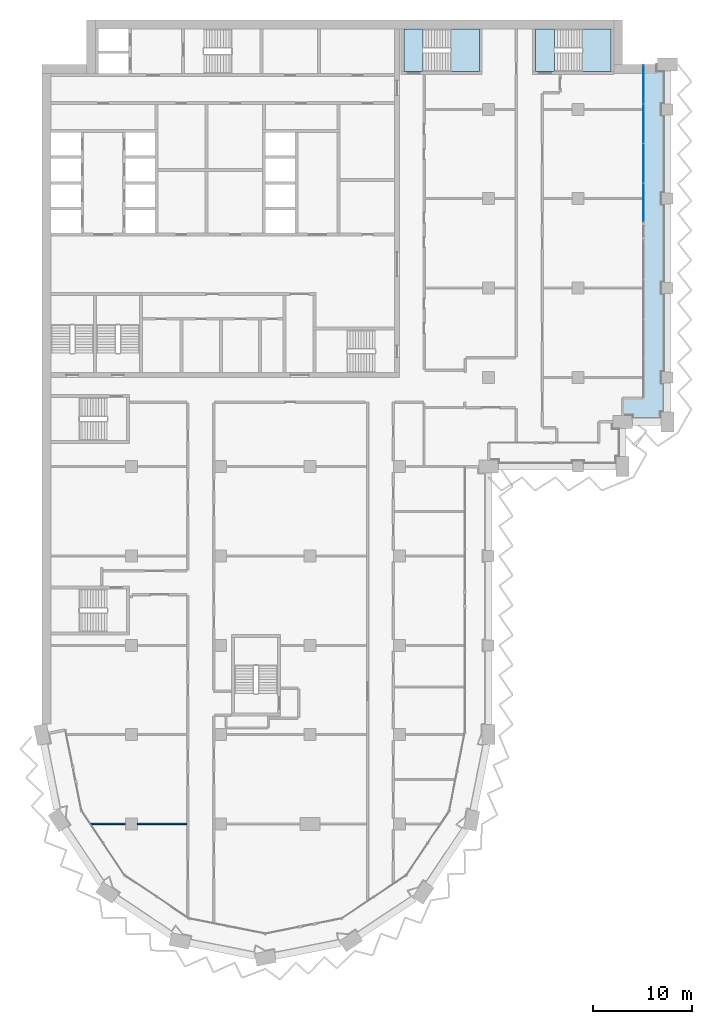
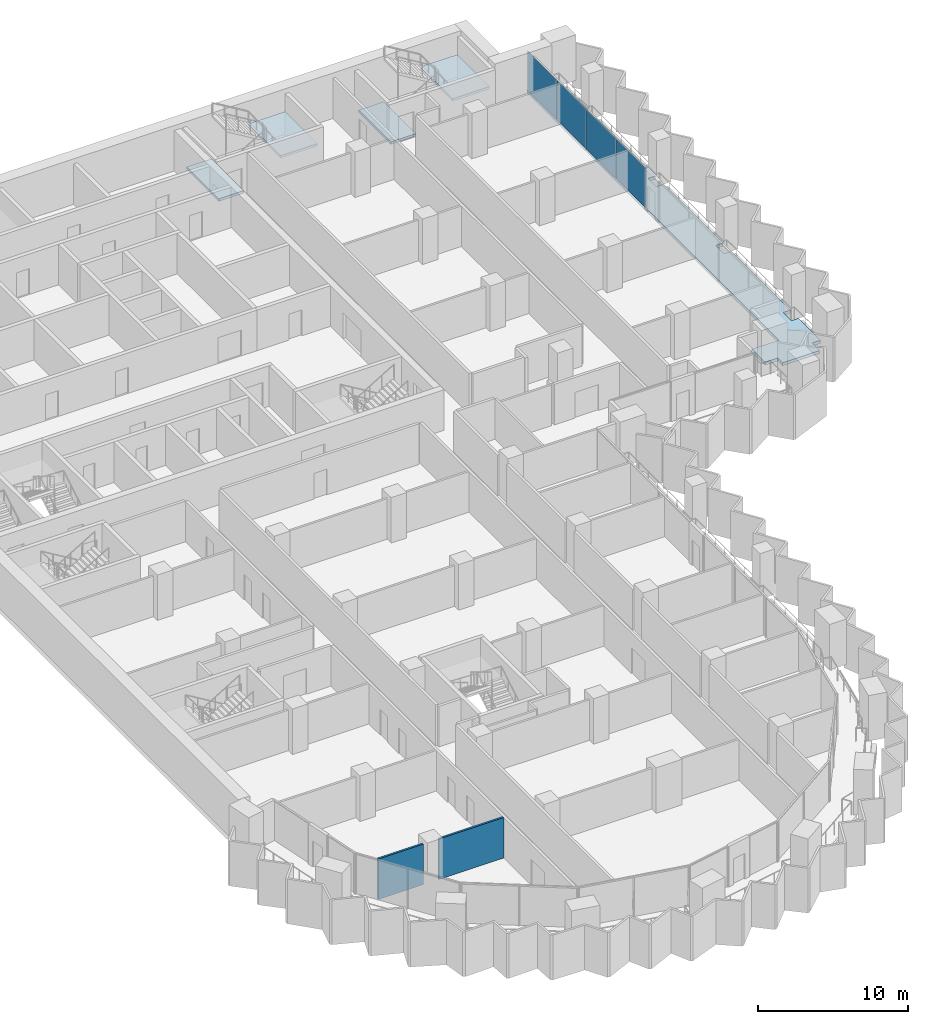
# One storey, part 7 of 22: 5 slabs, 4 plates, 2 walls, 3 elements without a shape of their own.
"""IFC4 building model written with IfcOpenShell, lengths in metres."""

import ifcopenshell
import ifcopenshell.guid

model = None  # the IFC model being written
_history = None  # IfcOwnerHistory: only IFC2X3 demands one
_inside = {}  # id of a spatial element -> (the spatial element, [elements in it])
_under = {}  # id of a project, library or spatial element -> (it, [spatial elements below it])
_declared = {}  # id of a project -> (the project, [libraries it declares])
_typed = {}  # id of a type object -> (the type object, [elements of that type])
_made_of = {}  # id of a material, layer set ... -> (it, [elements and type objects made of it])


def new_model(schema):
    """Start an empty IFC model of exactly this schema.

    Asked for "IFC4X3", IfcOpenShell would pick the latest addendum, in which some entities
    have other attributes; the version numbers below select the first issue.
    IFC2X3 requires an IfcOwnerHistory on every rooted entity: one is made here for all.
    """
    global model, _history
    if schema == "IFC4X3":
        model = ifcopenshell.file(schema_version=(4, 3, 0, 0))
    else:
        model = ifcopenshell.file(schema=schema)
    _inside.clear()
    _under.clear()
    _declared.clear()
    _typed.clear()
    _made_of.clear()
    _history = None
    if model.schema == "IFC2X3":
        org = make("IfcOrganization", Name="unknown")
        user = make(
            "IfcPersonAndOrganization",
            ThePerson=make("IfcPerson", FamilyName="unknown"),
            TheOrganization=org,
        )
        app = make(
            "IfcApplication",
            ApplicationDeveloper=org,
            Version="unknown",
            ApplicationFullName="unknown",
            ApplicationIdentifier="unknown",
        )
        _history = make(
            "IfcOwnerHistory",
            OwningUser=user,
            OwningApplication=app,
            ChangeAction="ADDED",
            CreationDate=0,
        )
    return model


def make(cls, **values):
    """One entity of the class cls with the attributes given. An attribute that is None is left unset."""
    return model.create_entity(
        cls, **{name: value for name, value in values.items() if value is not None}
    )


def rooted(cls, **values):
    """An entity with a GlobalId (a new one), such as an element, a storey or a relation."""
    return make(cls, GlobalId=ifcopenshell.guid.new(), OwnerHistory=_history, **values)


def si_unit(unit_type, name, prefix=None):
    """IfcSIUnit, for example si_unit("LENGTHUNIT", "METRE", prefix="MILLI")."""
    return make("IfcSIUnit", UnitType=unit_type, Prefix=prefix, Name=name)


def assignment(units):
    """IfcUnitAssignment: the units of a project."""
    return None if units is None else make("IfcUnitAssignment", Units=units)


def point(xyz):
    """IfcCartesianPoint."""
    return None if xyz is None else make("IfcCartesianPoint", Coordinates=xyz)


def direction(xyz):
    """IfcDirection."""
    return None if xyz is None else make("IfcDirection", DirectionRatios=xyz)


def frame(location, z_axis=None, x_axis=None):
    """IfcAxis2Placement3D, a coordinate frame: its origin and axes. An axis left out is left unset."""
    return make(
        "IfcAxis2Placement3D",
        Location=point(location),
        Axis=direction(z_axis),
        RefDirection=direction(x_axis),
    )


def frame_2d(location, x_axis=None):
    """IfcAxis2Placement2D, a coordinate frame in the plane: its origin and x axis."""
    return make(
        "IfcAxis2Placement2D", Location=point(location), RefDirection=direction(x_axis)
    )


def origin():
    """The frame at (0, 0, 0) with its axes left unset."""
    return frame((0.0, 0.0, 0.0))


def origin_2d():
    """The frame at (0, 0) in the plane with its x axis left unset."""
    return frame_2d((0.0, 0.0))


def place(relative_to, where):
    """IfcLocalPlacement: puts the frame where relative to a parent placement (None: the world)."""
    return make(
        "IfcLocalPlacement", PlacementRelTo=relative_to, RelativePlacement=where
    )


def context(
    kind, dimensions, precision=None, world=None, true_north=None, identifier=None
):
    """IfcGeometricRepresentationContext, for example the 3D "Model" context."""
    return make(
        "IfcGeometricRepresentationContext",
        ContextIdentifier=identifier,
        ContextType=kind,
        CoordinateSpaceDimension=dimensions,
        Precision=precision,
        WorldCoordinateSystem=world,
        TrueNorth=true_north,
    )


def subcontext(parent, identifier, kind, view, scale=None):
    """IfcGeometricRepresentationSubContext, for example "Body" below "Model"."""
    return make(
        "IfcGeometricRepresentationSubContext",
        ContextIdentifier=identifier,
        ContextType=kind,
        ParentContext=parent,
        TargetScale=scale,
        TargetView=view,
    )


def project(units=None, contexts=None):
    """IfcProject with its units and contexts."""
    return rooted(
        "IfcProject",
        Name="project",
        RepresentationContexts=contexts,
        UnitsInContext=assignment(units),
    )


def spatial(cls, under=None, at=None, **own):
    """A site, building, storey or space (cls), placed at a placement, below another one or the project."""
    s = rooted(cls, ObjectPlacement=at, **own)
    if under is not None:
        _under.setdefault(under.id(), (under, []))[1].append(s)
    return s


def polyline(points):
    """IfcPolyline through the points."""
    return make("IfcPolyline", Points=[point(p) for p in points])


def profile(cls, at=None, kind="AREA", **sizes):
    """A parametric profile (cls). Its sizes go by their IFC names, for example OverallWidth=200.0."""
    return make(cls, ProfileType=kind, Position=at, **sizes)


def rectangle(**sizes):
    """IfcRectangleProfileDef."""
    return profile("IfcRectangleProfileDef", **sizes)


def outline(outer, holes=None, kind="AREA"):
    """IfcArbitraryClosedProfileDef: a profile drawn as a closed curve; with holes, ...WithVoids."""
    if holes is None:
        return make("IfcArbitraryClosedProfileDef", ProfileType=kind, OuterCurve=outer)
    return make(
        "IfcArbitraryProfileDefWithVoids",
        ProfileType=kind,
        OuterCurve=outer,
        InnerCurves=holes,
    )


def extrude(swept, where, along, depth):
    """IfcExtrudedAreaSolid: the profile swept, set in the frame where, extruded along a direction by depth."""
    return make(
        "IfcExtrudedAreaSolid",
        SweptArea=swept,
        Position=where,
        ExtrudedDirection=direction(along),
        Depth=depth,
    )


def shape(context_of_items, identifier, shape_type, items):
    """IfcShapeRepresentation: the items that make up one representation, for example the "Body"."""
    return make(
        "IfcShapeRepresentation",
        ContextOfItems=context_of_items,
        RepresentationIdentifier=identifier,
        RepresentationType=shape_type,
        Items=items,
    )


def material(Name=None, Category=None):
    """IfcMaterial."""
    return make("IfcMaterial", Name=Name, Category=Category)


def layer(
    of_material, thickness, ventilated=None, Name=None, Category=None, Priority=None
):
    """IfcMaterialLayer: one layer of a wall or slab, of a material (None: an air gap)."""
    return make(
        "IfcMaterialLayer",
        Material=of_material,
        LayerThickness=thickness,
        IsVentilated=ventilated,
        Name=Name,
        Category=Category,
        Priority=Priority,
    )


def layer_set(layers, Name=None):
    """IfcMaterialLayerSet."""
    return make("IfcMaterialLayerSet", MaterialLayers=layers, LayerSetName=Name)


def made_of(thing, what):
    """Note that an element or type object is made of a material, layer set ...; save() writes the relation."""
    if what is not None:
        _made_of.setdefault(what.id(), (what, []))[1].append(thing)
    return thing


def type_object(cls, material=None, **own):
    """A type object (cls), such as IfcWallType, which elements share."""
    return made_of(rooted(cls, **own), material)


def element(
    cls,
    number,
    at=None,
    inside=None,
    cuts=None,
    type_object=None,
    material=None,
    context=None,
    identifier="Body",
    shape_type=None,
    held_by="IfcProductDefinitionShape",
    body=None,
    shapes=None,
    **own,
):
    """One element of the class cls, such as IfcWall. Its Tag is "e" and its number.

    at: its placement. inside: the storey or other place that contains it. cuts: it is an
    opening in that element (IfcRelVoidsElement). A single representation is given by context,
    identifier, shape_type and body (its items); several are given by shapes. held_by: the class
    of the entity that holds the representations. save() writes the other relations.
    """
    e = rooted(cls, Tag="e%d" % number, ObjectPlacement=at, **own)
    if body is not None:
        shapes = [shape(context, identifier, shape_type, body)]
    if shapes is not None:
        e.Representation = make(held_by, Representations=shapes)
    if inside is not None:
        _inside.setdefault(inside.id(), (inside, []))[1].append(e)
    if cuts is not None:
        rooted(
            "IfcRelVoidsElement", RelatingBuildingElement=cuts, RelatedOpeningElement=e
        )
    if type_object is not None:
        _typed.setdefault(type_object.id(), (type_object, []))[1].append(e)
    return made_of(e, material)


def aggregate(whole, parts):
    """IfcRelAggregates: a whole, such as a stair, and the parts it consists of."""
    return rooted("IfcRelAggregates", RelatingObject=whole, RelatedObjects=parts)


def save(model, path):
    """Write the relations noted so far, then the file.

    IfcRelAggregates (storeys below a building ...), IfcRelContainedInSpatialStructure (elements
    in a storey), IfcRelDefinesByType, IfcRelAssociatesMaterial and IfcRelDeclares: one each for
    every whole, place, type object, material and project.
    """
    for whole, parts in _under.values():
        aggregate(whole, parts)
    for where, things in _inside.values():
        rooted(
            "IfcRelContainedInSpatialStructure",
            RelatedElements=things,
            RelatingStructure=where,
        )
    for kind, things in _typed.values():
        rooted("IfcRelDefinesByType", RelatedObjects=things, RelatingType=kind)
    for what, things in _made_of.values():
        rooted("IfcRelAssociatesMaterial", RelatedObjects=things, RelatingMaterial=what)
    for by, libraries in _declared.values():
        rooted("IfcRelDeclares", RelatingContext=by, RelatedDefinitions=libraries)
    model.write(path)


model = new_model("IFC4")

# Units and contexts
model_context = context("Model", 3, precision=1e-05, world=origin(), true_north=direction((0.0, 1.0)))
body_context = subcontext(model_context, "Body", "Model", "MODEL_VIEW")
ifc_project = project(units=[si_unit("LENGTHUNIT", "METRE"), si_unit("AREAUNIT", "SQUARE_METRE"), si_unit("VOLUMEUNIT", "CUBIC_METRE"), si_unit("PLANEANGLEUNIT", "RADIAN"), si_unit("MASSUNIT", "GRAM", prefix="KILO")], contexts=[model_context])

# Site, building, storey
site_placement = place(None, origin())
site = spatial("IfcSite", under=ifc_project, at=site_placement, CompositionType="ELEMENT")
building_placement = place(site_placement, origin())
building = spatial("IfcBuilding", under=site, at=building_placement, Name="Hunhe Ridgeline Campus", CompositionType="ELEMENT")
storey_placement = place(building_placement, frame((0.0, 0.0, 141.199951171875)))
storey = spatial("IfcBuildingStorey", under=building, at=storey_placement, Name="L35", CompositionType="ELEMENT", Elevation=141.199951171875)

# Curtain wall, plates
ifc_material_1 = material(Name="Aluminium 6063", Category="aluminium")
curtain_wall_type = type_object("IfcCurtainWallType", Name="Curtain wall CW-1", PredefinedType="NOTDEFINED", material=ifc_material_1)
curtain_wall_placement = place(storey_placement, origin())
curtain_wall = element("IfcCurtainWall", 1, at=curtain_wall_placement, inside=storey, type_object=curtain_wall_type, Name="Curtain wall 16", PredefinedType="NOTDEFINED")
ifc_material_2 = material(Name="Low-e laminated glass", Category="glass")
ifc_layer_1 = layer(ifc_material_2, 0.028076171875)
ifc_layer_set_1 = layer_set([ifc_layer_1], Name="Curtain wall glass panel 28 low-e laminated")
plate_type = type_object("IfcPlateType", Name="Curtain wall glass panel 28 low-e laminated", PredefinedType="CURTAIN_PANEL", material=ifc_layer_set_1)
plate_1_placement = place(storey_placement, frame((60.59912109375, 80.60302734375, 0.0), z_axis=(0.0, 0.0, 1.0), x_axis=(0.0, 1.0, 0.0)))
plate_1 = element("IfcPlate", 2, at=plate_1_placement, type_object=plate_type, Name="CW-1 panel 1", PredefinedType="CURTAIN_PANEL", context=body_context, shape_type="SweptSolid", body=[
    extrude(rectangle(XDim=3.884765625, YDim=0.028076171875, at=origin_2d()), origin(), (0.0, 0.0, 1.0), 3.239990234375),
])
plate_2_placement = place(storey_placement, frame((60.59912109375, 84.562744140625, 0.0), z_axis=(0.0, 0.0, 1.0), x_axis=(0.0, 1.0, 0.0)))
plate_2 = element("IfcPlate", 3, at=plate_2_placement, type_object=plate_type, Name="CW-1 panel 2", PredefinedType="CURTAIN_PANEL", context=body_context, shape_type="SweptSolid", body=[
    extrude(rectangle(XDim=3.914794921875, YDim=0.028076171875, at=origin_2d()), origin(), (0.0, 0.0, 1.0), 3.239990234375),
])
plate_3_placement = place(storey_placement, frame((60.59912109375, 88.53759765625, 0.0), z_axis=(0.0, 0.0, 1.0), x_axis=(0.0, 1.0, 0.0)))
plate_3 = element("IfcPlate", 4, at=plate_3_placement, type_object=plate_type, Name="CW-1 panel 3", PredefinedType="CURTAIN_PANEL", context=body_context, shape_type="SweptSolid", body=[
    extrude(rectangle(XDim=3.914794921875, YDim=0.028076171875, at=origin_2d()), origin(), (0.0, 0.0, 1.0), 3.239990234375),
])
plate_4_placement = place(storey_placement, frame((60.59912109375, 92.49755859375, 0.0), z_axis=(0.0, 0.0, 1.0), x_axis=(0.0, 1.0, 0.0)))
plate_4 = element("IfcPlate", 5, at=plate_4_placement, type_object=plate_type, Name="CW-1 panel 4", PredefinedType="CURTAIN_PANEL", context=body_context, shape_type="SweptSolid", body=[
    extrude(rectangle(XDim=3.884765625, YDim=0.028076171875, at=origin_2d()), origin(), (0.0, 0.0, 1.0), 3.239990234375),
])
aggregate(curtain_wall, [plate_1, plate_2, plate_3, plate_4])

# Slab
ifc_material_3 = material(Name="Concrete C40", Category="concrete")
ifc_layer_2 = layer(ifc_material_3, 0.25)
ifc_layer_set_2 = layer_set([ifc_layer_2], Name="Loggia slab 250 Concrete C40")
slab_type_1 = type_object("IfcSlabType", Name="Loggia slab 250 Concrete C40", PredefinedType="FLOOR", material=ifc_layer_set_2)
slab_1_placement = place(storey_placement, frame((0.0, 0.0, -0.25)))
element("IfcSlab", 6, at=slab_1_placement, inside=storey, type_object=slab_type_1, Name="Loggia slab 3", PredefinedType="FLOOR", context=body_context, shape_type="SweptSolid", body=[
    extrude(outline(polyline([(58.5, 59.14990234375), (59.5, 59.14990234375), (59.5, 58.5), (62.35009765625, 58.5), (62.35009765625, 59.5), (63.0, 59.5), (63.0, 62.449951171875), (62.449951171875, 62.449951171875), (62.449951171875, 63.550048828125), (63.0, 63.550048828125), (63.0, 71.449951171875), (62.449951171875, 71.449951171875), (62.449951171875, 72.550048828125), (63.0, 72.550048828125), (63.0, 80.449951171875), (62.449951171875, 80.449951171875), (62.449951171875, 81.550048828125), (63.0, 81.550048828125), (63.0, 89.449951171875), (62.449951171875, 89.449951171875), (62.449951171875, 90.550048828125), (63.0, 90.550048828125), (63.0, 93.85009765625), (62.0, 93.85009765625), (62.0, 94.5), (60.60009765625, 94.5), (60.60009765625, 60.89990234375), (58.5, 60.89990234375), (58.5, 59.14990234375)])), origin(), (0.0, 0.0, 1.0), 0.25),
])

# Stair, slab
stair_type = type_object("IfcStairType", Name="Reinforced concrete dog-leg stair 1950 Concrete C40", PredefinedType="HALF_TURN_STAIR", material=ifc_material_3)
stair_1_placement = place(storey_placement, origin())
stair_1 = element("IfcStair", 7, at=stair_1_placement, inside=storey, type_object=stair_type, Name="L35 E1", PredefinedType="HALF_TURN_STAIR")
ifc_layer_3 = layer(ifc_material_3, 0.199951171875)
ifc_layer_set_3 = layer_set([ifc_layer_3], Name="Reinforced concrete stair landing 200 Concrete C40")
slab_type_2 = type_object("IfcSlabType", Name="Reinforced concrete stair landing 200 Concrete C40", PredefinedType="LANDING", material=ifc_layer_set_3)
slab_2_placement = place(storey_placement, frame((0.0, 0.0, 1.650146484375)))
slab_2 = element("IfcSlab", 8, at=slab_2_placement, type_object=slab_type_2, Name="ST5 landing 1", PredefinedType="LANDING", context=body_context, shape_type="SweptSolid", body=[
    extrude(outline(polyline([(41.199951171875, 93.800048828125), (44.050048828125, 93.800048828125), (44.050048828125, 98.10009765625), (41.199951171875, 98.10009765625), (41.199951171875, 93.800048828125)])), origin(), (0.0, 0.0, 1.0), 0.199951171875),
])
aggregate(stair_1, [slab_2])

# Slab
slab_3_placement = place(storey_placement, frame((0.0, 0.0, -0.199951171875)))
element("IfcSlab", 9, at=slab_3_placement, inside=storey, type_object=slab_type_2, Name="L35 stair E1 floor landing", PredefinedType="LANDING", context=body_context, shape_type="SweptSolid", body=[
    extrude(outline(polyline([(36.449951171875, 93.800048828125), (38.39990234375, 93.800048828125), (38.39990234375, 98.10009765625), (36.449951171875, 98.10009765625), (36.449951171875, 93.800048828125)])), origin(), (0.0, 0.0, 1.0), 0.199951171875),
])

# Stair, slab
stair_2_placement = place(storey_placement, origin())
stair_2 = element("IfcStair", 10, at=stair_2_placement, inside=storey, type_object=stair_type, Name="L35 E2", PredefinedType="HALF_TURN_STAIR")
slab_4_placement = place(storey_placement, frame((0.0, 0.0, 1.650146484375)))
slab_4 = element("IfcSlab", 11, at=slab_4_placement, type_object=slab_type_2, Name="ST6 landing 1", PredefinedType="LANDING", context=body_context, shape_type="SweptSolid", body=[
    extrude(outline(polyline([(54.449951171875, 93.800048828125), (57.300048828125, 93.800048828125), (57.300048828125, 98.10009765625), (54.449951171875, 98.10009765625), (54.449951171875, 93.800048828125)])), origin(), (0.0, 0.0, 1.0), 0.199951171875),
])
aggregate(stair_2, [slab_4])

# Slab
slab_5_placement = place(storey_placement, frame((0.0, 0.0, -0.199951171875)))
element("IfcSlab", 12, at=slab_5_placement, inside=storey, type_object=slab_type_2, Name="L35 stair E2 floor landing", PredefinedType="LANDING", context=body_context, shape_type="SweptSolid", body=[
    extrude(outline(polyline([(49.699951171875, 93.800048828125), (51.64990234375, 93.800048828125), (51.64990234375, 98.10009765625), (49.699951171875, 98.10009765625), (49.699951171875, 93.800048828125)])), origin(), (0.0, 0.0, 1.0), 0.199951171875),
])

# Walls
ifc_material_4 = material(Name="Gypsum board partition")
ifc_layer_4 = layer(ifc_material_4, 0.14990234375)
ifc_layer_set_4 = layer_set([ifc_layer_4], Name="Room partition 150 gypsum board on steel studs")
wall_type = type_object("IfcWallType", Name="Room partition 150 gypsum board on steel studs", PredefinedType="PARTITIONING", material=ifc_layer_set_4)
wall_1_placement = place(storey_placement, frame((4.925537109375, 18.0, 0.0), z_axis=(0.0, 0.0, 1.0), x_axis=(1.0, 0.0, 0.0)))
element("IfcWall", 13, at=wall_1_placement, inside=storey, type_object=wall_type, Name="F-L35-wall-001", PredefinedType="PARTITIONING", context=body_context, shape_type="SweptSolid", body=[
    extrude(rectangle(XDim=3.474365234375, YDim=0.14990234375, at=frame_2d((1.7373046875, 0.0))), origin(), (0.0, 0.0, 1.0), 3.300048828125),
])
wall_2_placement = place(storey_placement, frame((9.60009765625, 18.0, 0.0), z_axis=(0.0, 0.0, 1.0), x_axis=(1.0, 0.0, 0.0)))
element("IfcWall", 14, at=wall_2_placement, inside=storey, type_object=wall_type, Name="F-L35-wall-002", PredefinedType="PARTITIONING", context=body_context, shape_type="SweptSolid", body=[
    extrude(rectangle(XDim=5.0, YDim=0.14990234375, at=frame_2d((2.5, 0.0))), origin(), (0.0, 0.0, 1.0), 3.300048828125),
])

save(model, "model.ifc")
